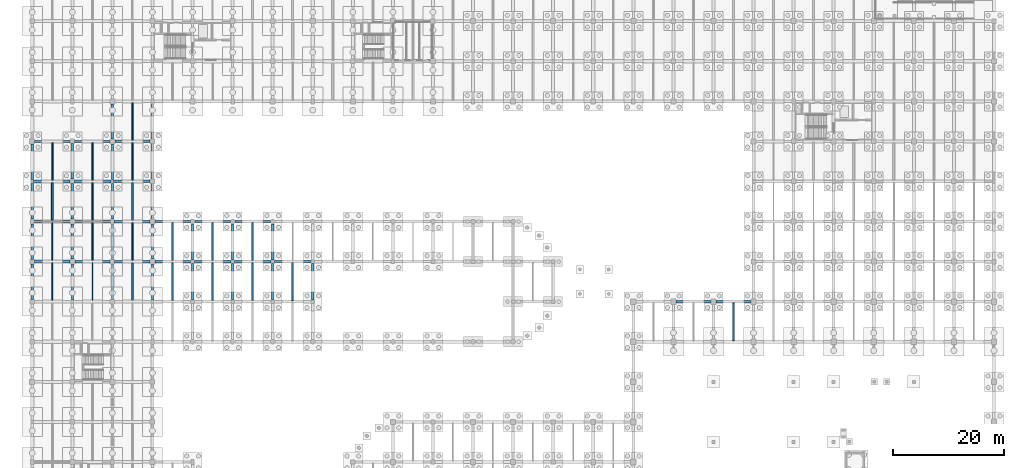
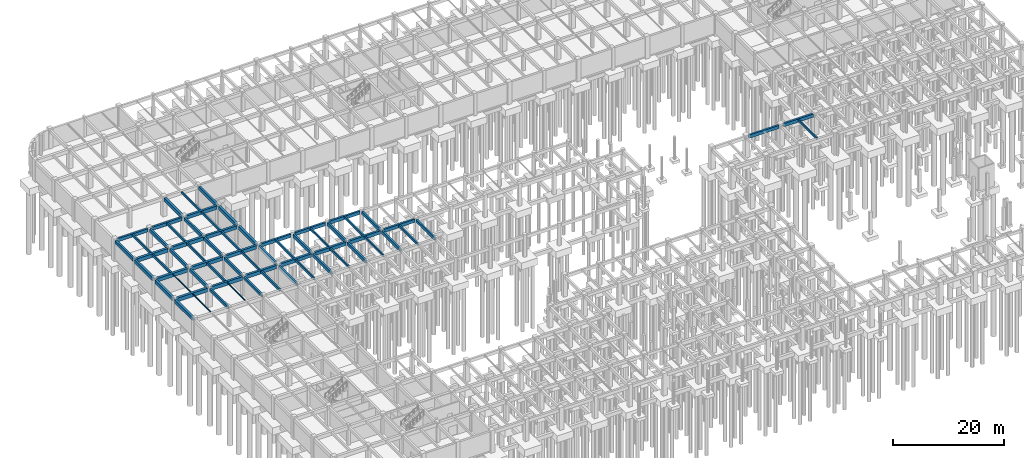
# One storey, part 28 of 47: 67 beams.
"""IFC4 building model written with IfcOpenShell, lengths in metres."""

from ifc_helpers import new_model, si_unit, direction, frame, origin, origin_2d, place, context, subcontext, project, spatial, rectangle, i_section, extrude, material, material_profile, profile_set, type_object, element, save


model = new_model("IFC4")

# Units and contexts
model_context = context("Model", 3, precision=1e-05, world=origin(), true_north=direction((0.0, 1.0)))
body_context = subcontext(model_context, "Body", "Model", "MODEL_VIEW")
ifc_project = project(units=[si_unit("LENGTHUNIT", "METRE"), si_unit("AREAUNIT", "SQUARE_METRE"), si_unit("VOLUMEUNIT", "CUBIC_METRE"), si_unit("PLANEANGLEUNIT", "RADIAN"), si_unit("MASSUNIT", "GRAM", prefix="KILO")], contexts=[model_context])

# Site, building, storey
site_placement = place(None, origin())
site = spatial("IfcSite", under=ifc_project, at=site_placement, CompositionType="ELEMENT")
building_placement = place(site_placement, origin())
building = spatial("IfcBuilding", under=site, at=building_placement, Name="Thalmaran Polytechnic", CompositionType="ELEMENT")
storey_placement = place(building_placement, frame((0.0, 0.0, -4.5)))
storey = spatial("IfcBuildingStorey", under=building, at=storey_placement, Name="B1", CompositionType="ELEMENT", Elevation=-4.5)

# Beams
ifc_material_1 = material(Name="Concrete C40/50", Category="concrete")
ifc_material_profile_1 = material_profile(ifc_material_1, rectangle(XDim=0.5, YDim=0.800048828125, at=origin_2d()), Name="RC 500x800")
ifc_profile_set_1 = profile_set([ifc_material_profile_1], Name="Concrete C40/50")
beam_type_1 = type_object("IfcBeamType", Name="BM-RC02", PredefinedType="BEAM", material=ifc_profile_set_1)
beam_1_placement = place(storey_placement, frame((0.39990234375, 64.800048828125, 3.77001953125), z_axis=(1.0, 0.0, 0.0), x_axis=(0.0, 1.0, 0.0)))
element("IfcBeam", 1, at=beam_1_placement, inside=storey, type_object=beam_type_1, Name="Grid Beam B02 B1 X(0,9)", PredefinedType="BEAM", context=body_context, shape_type="SweptSolid", body=[
    extrude(rectangle(XDim=0.5, YDim=0.800048828125, at=origin_2d()), origin(), (0.0, 0.0, 1.0), 6.35009765625),
])
beam_2_placement = place(storey_placement, frame((0.300048828125, 72.0, 3.77001953125), z_axis=(1.0, 0.0, 0.0), x_axis=(0.0, 1.0, 0.0)))
element("IfcBeam", 2, at=beam_2_placement, inside=storey, type_object=beam_type_1, Name="Grid Beam B02 B1 X(0,10)", PredefinedType="BEAM", context=body_context, shape_type="SweptSolid", body=[
    extrude(rectangle(XDim=0.5, YDim=0.800048828125, at=origin_2d()), origin(), (0.0, 0.0, 1.0), 6.4599609375),
])
beam_3_placement = place(storey_placement, frame((0.22509765625, 79.199951171875, 3.77001953125), z_axis=(1.0, 0.0, 0.0), x_axis=(0.0, 1.0, 0.0)))
element("IfcBeam", 3, at=beam_3_placement, inside=storey, type_object=beam_type_1, Name="Grid Beam B02 B1 X(0,11)", PredefinedType="BEAM", context=body_context, shape_type="SweptSolid", body=[
    extrude(rectangle(XDim=0.5, YDim=0.800048828125, at=origin_2d()), origin(), (0.0, 0.0, 1.0), 6.56494140625),
])
ifc_material_profile_2 = material_profile(ifc_material_1, rectangle(XDim=0.449951171875, YDim=0.75, at=origin_2d()), Name="RC 450x750")
ifc_profile_set_2 = profile_set([ifc_material_profile_2], Name="Concrete C40/50")
beam_type_2 = type_object("IfcBeamType", Name="BM-RC03", PredefinedType="BEAM", material=ifc_profile_set_2)
beam_4_placement = place(storey_placement, frame((14.800048828125, 64.800048828125, 3.794921875), z_axis=(1.0, 0.0, 0.0), x_axis=(0.0, 1.0, 0.0)))
element("IfcBeam", 4, at=beam_4_placement, inside=storey, type_object=beam_type_2, Name="Grid Beam B03 B1 X(2,9)", PredefinedType="BEAM", context=body_context, shape_type="SweptSolid", body=[
    extrude(rectangle(XDim=0.449951171875, YDim=0.75, at=origin_2d()), origin(), (0.0, 0.0, 1.0), 6.349853515625),
])
beam_5_placement = place(storey_placement, frame((14.699951171875, 72.0, 3.794921875), z_axis=(1.0, 0.0, 0.0), x_axis=(0.0, 1.0, 0.0)))
element("IfcBeam", 5, at=beam_5_placement, inside=storey, type_object=beam_type_2, Name="Grid Beam B03 B1 X(2,10)", PredefinedType="BEAM", context=body_context, shape_type="SweptSolid", body=[
    extrude(rectangle(XDim=0.449951171875, YDim=0.75, at=origin_2d()), origin(), (0.0, 0.0, 1.0), 6.4599609375),
])
beam_6_placement = place(storey_placement, frame((14.625, 79.199951171875, 3.794921875), z_axis=(1.0, 0.0, 0.0), x_axis=(0.0, 1.0, 0.0)))
element("IfcBeam", 6, at=beam_6_placement, inside=storey, type_object=beam_type_2, Name="Grid Beam B03 B1 X(2,11)", PredefinedType="BEAM", context=body_context, shape_type="SweptSolid", body=[
    extrude(rectangle(XDim=0.449951171875, YDim=0.75, at=origin_2d()), origin(), (0.0, 0.0, 1.0), 6.56494140625),
])
beam_7_placement = place(storey_placement, frame((14.85009765625, 86.39990234375, 3.794921875), z_axis=(1.0, 0.0, 0.0), x_axis=(0.0, 1.0, 0.0)))
element("IfcBeam", 7, at=beam_7_placement, inside=storey, type_object=beam_type_2, Name="Grid Beam B03 B1 X(2,12)", PredefinedType="BEAM", context=body_context, shape_type="SweptSolid", body=[
    extrude(rectangle(XDim=0.449951171875, YDim=0.75, at=origin_2d()), origin(), (0.0, 0.0, 1.0), 6.349853515625),
])
ifc_material_profile_3 = material_profile(ifc_material_1, rectangle(XDim=0.449951171875, YDim=0.72509765625, at=origin_2d()), Name="RC 450x725")
ifc_profile_set_3 = profile_set([ifc_material_profile_3], Name="Concrete C40/50")
beam_type_3 = type_object("IfcBeamType", Name="BM-RC04", PredefinedType="BEAM", material=ifc_profile_set_3)
beam_8_placement = place(storey_placement, frame((29.125, 64.800048828125, 3.827392578125), z_axis=(1.0, 0.0, 0.0), x_axis=(0.0, 1.0, 0.0)))
element("IfcBeam", 8, at=beam_8_placement, inside=storey, type_object=beam_type_3, Name="Grid Beam B04 B1 X(4,9)", PredefinedType="BEAM", context=body_context, shape_type="SweptSolid", body=[
    extrude(rectangle(XDim=0.449951171875, YDim=0.72509765625, at=origin_2d()), origin(), (0.0, 0.0, 1.0), 6.550048828125),
])
ifc_material_profile_4 = material_profile(ifc_material_1, rectangle(XDim=0.39990234375, YDim=0.699951171875, at=origin_2d()), Name="RC 400x700")
ifc_profile_set_4 = profile_set([ifc_material_profile_4], Name="Concrete C40/50")
beam_type_4 = type_object("IfcBeamType", Name="BM-RC05", PredefinedType="BEAM", material=ifc_profile_set_4)
beam_9_placement = place(storey_placement, frame((43.52490234375, 64.800048828125, 3.840087890625), z_axis=(1.0, 0.0, 0.0), x_axis=(0.0, 1.0, 0.0)))
element("IfcBeam", 9, at=beam_9_placement, inside=storey, type_object=beam_type_4, Name="Grid Beam B05 B1 X(6,9)", PredefinedType="BEAM", context=body_context, shape_type="SweptSolid", body=[
    extrude(rectangle(XDim=0.39990234375, YDim=0.699951171875, at=origin_2d()), origin(), (0.0, 0.0, 1.0), 6.550048828125),
])
ifc_material_profile_5 = material_profile(ifc_material_1, rectangle(XDim=0.389892578125, YDim=0.68505859375, at=origin_2d()), Name="RC 390x685")
ifc_profile_set_5 = profile_set([ifc_material_profile_5], Name="Concrete C40/50")
beam_type_5 = type_object("IfcBeamType", Name="BM-RC08", PredefinedType="BEAM", material=ifc_profile_set_5)
beam_10_placement = place(storey_placement, frame((7.199951171875, 65.25, 3.827392578125), z_axis=(0.0, 1.0, 0.0), x_axis=(-1.0, 0.0, 0.0)))
element("IfcBeam", 10, at=beam_10_placement, inside=storey, type_object=beam_type_5, Name="Grid Beam B08 B1 Y(1,9)", PredefinedType="BEAM", context=body_context, shape_type="SweptSolid", body=[
    extrude(rectangle(XDim=0.389892578125, YDim=0.68505859375, at=origin_2d()), origin(), (0.0, 0.0, 1.0), 6.31005859375),
])
beam_11_placement = place(storey_placement, frame((14.39990234375, 65.199951171875, 3.827392578125), z_axis=(0.0, 1.0, 0.0), x_axis=(-1.0, 0.0, 0.0)))
element("IfcBeam", 11, at=beam_11_placement, inside=storey, type_object=beam_type_5, Name="Grid Beam B08 B1 Y(2,9)", PredefinedType="BEAM", context=body_context, shape_type="SweptSolid", body=[
    extrude(rectangle(XDim=0.389892578125, YDim=0.68505859375, at=origin_2d()), origin(), (0.0, 0.0, 1.0), 6.35009765625),
])
beam_12_placement = place(storey_placement, frame((21.60009765625, 65.25, 3.827392578125), z_axis=(0.0, 1.0, 0.0), x_axis=(-1.0, 0.0, 0.0)))
element("IfcBeam", 12, at=beam_12_placement, inside=storey, type_object=beam_type_5, Name="Grid Beam B08 B1 Y(3,9)", PredefinedType="BEAM", context=body_context, shape_type="SweptSolid", body=[
    extrude(rectangle(XDim=0.389892578125, YDim=0.68505859375, at=origin_2d()), origin(), (0.0, 0.0, 1.0), 6.31005859375),
])
for number, where, z_axis, x_axis, name in (
    (13, (28.800048828125, 65.125, 3.827392578125), (0.0, 1.0, 0.0), (-1.0, 0.0, 0.0), "Grid Beam B08 B1 Y(4,9)"),
    (14, (36.0, 65.125, 3.847412109375), (0.0, 1.0, 0.0), (-1.0, 0.0, 0.0), "Grid Beam B08 B1 Y(5,9)"),
    (15, (43.199951171875, 65.125, 3.847412109375), (0.0, 1.0, 0.0), (-1.0, 0.0, 0.0), "Grid Beam B08 B1 Y(6,9)"),
):
    element("IfcBeam", number, at=place(storey_placement, frame(where, z_axis=z_axis, x_axis=x_axis)), inside=storey, type_object=beam_type_5, Name=name, PredefinedType="BEAM", context=body_context, shape_type="SweptSolid", body=[
        extrude(rectangle(XDim=0.389892578125, YDim=0.68505859375, at=origin_2d()), origin(), (0.0, 0.0, 1.0), 6.47509765625),
    ])
ifc_material_profile_6 = material_profile(ifc_material_1, rectangle(XDim=0.389892578125, YDim=0.68994140625, at=origin_2d()), Name="RC 390x690")
ifc_profile_set_6 = profile_set([ifc_material_profile_6], Name="Concrete C40/50")
beam_type_6 = type_object("IfcBeamType", Name="BM-RC09", PredefinedType="BEAM", material=ifc_profile_set_6)
beam_13_placement = place(storey_placement, frame((7.199951171875, 79.610107421875, 3.824951171875), z_axis=(0.0, 1.0, 0.0), x_axis=(-1.0, 0.0, 0.0)))
element("IfcBeam", 16, at=beam_13_placement, inside=storey, type_object=beam_type_6, Name="Grid Beam B09 B1 Y(1,11)", PredefinedType="BEAM", context=body_context, shape_type="SweptSolid", body=[
    extrude(rectangle(XDim=0.389892578125, YDim=0.68994140625, at=origin_2d()), origin(), (0.0, 0.0, 1.0), 6.389892578125),
])
beam_14_placement = place(storey_placement, frame((14.39990234375, 79.52490234375, 3.824951171875), z_axis=(0.0, 1.0, 0.0), x_axis=(-1.0, 0.0, 0.0)))
element("IfcBeam", 17, at=beam_14_placement, inside=storey, type_object=beam_type_6, Name="Grid Beam B09 B1 Y(2,11)", PredefinedType="BEAM", context=body_context, shape_type="SweptSolid", body=[
    extrude(rectangle(XDim=0.389892578125, YDim=0.68994140625, at=origin_2d()), origin(), (0.0, 0.0, 1.0), 6.425048828125),
])
ifc_material_profile_7 = material_profile(ifc_material_1, rectangle(XDim=0.300048828125, YDim=0.5, at=origin_2d()), Name="RC 300x500")
ifc_profile_set_7 = profile_set([ifc_material_profile_7], Name="Concrete C40/50")
beam_type_7 = type_object("IfcBeamType", Name="BM-RC11", PredefinedType="JOIST", material=ifc_profile_set_7)
beam_15_placement = place(storey_placement, frame((3.60009765625, 72.25, 3.919921875), z_axis=(0.0, 1.0, 0.0), x_axis=(-1.0, 0.0, 0.0)))
element("IfcBeam", 18, at=beam_15_placement, inside=storey, type_object=beam_type_7, Name="Secondary Floor Rib RB01 B1 (0,10)", PredefinedType="JOIST", context=body_context, shape_type="SweptSolid", body=[
    extrude(rectangle(XDim=0.300048828125, YDim=0.5, at=origin_2d()), origin(), (0.0, 0.0, 1.0), 6.699951171875),
])
beam_16_placement = place(storey_placement, frame((10.800048828125, 65.0400390625, 3.919921875), z_axis=(0.0, 1.0, 0.0), x_axis=(-1.0, 0.0, 0.0)))
element("IfcBeam", 19, at=beam_16_placement, inside=storey, type_object=beam_type_7, Name="Secondary Floor Rib RB01 B1 (1,9)", PredefinedType="JOIST", context=body_context, shape_type="SweptSolid", body=[
    extrude(rectangle(XDim=0.300048828125, YDim=0.5, at=origin_2d()), origin(), (0.0, 0.0, 1.0), 6.719970703125),
])
beam_17_placement = place(storey_placement, frame((18.0, 57.824951171875, 3.919921875), z_axis=(0.0, 1.0, 0.0), x_axis=(-1.0, 0.0, 0.0)))
element("IfcBeam", 20, at=beam_17_placement, inside=storey, type_object=beam_type_7, Name="Secondary Floor Rib RB01 B1 (2,8)", PredefinedType="JOIST", context=body_context, shape_type="SweptSolid", body=[
    extrude(rectangle(XDim=0.300048828125, YDim=0.5, at=origin_2d()), origin(), (0.0, 0.0, 1.0), 6.75),
])
ifc_material_profile_8 = material_profile(ifc_material_1, rectangle(XDim=0.300048828125, YDim=0.449951171875, at=origin_2d()), Name="RC 300x450")
ifc_profile_set_8 = profile_set([ifc_material_profile_8], Name="Concrete C40/50")
beam_type_8 = type_object("IfcBeamType", Name="BM-RC12", PredefinedType="JOIST", material=ifc_profile_set_8)
beam_18_placement = place(storey_placement, frame((10.800048828125, 79.43994140625, 3.945068359375), z_axis=(0.0, 1.0, 0.0), x_axis=(-1.0, 0.0, 0.0)))
element("IfcBeam", 21, at=beam_18_placement, inside=storey, type_object=beam_type_8, Name="Secondary Floor Rib RB02 B1 (1,11)", PredefinedType="JOIST", context=body_context, shape_type="SweptSolid", body=[
    extrude(rectangle(XDim=0.300048828125, YDim=0.449951171875, at=origin_2d()), origin(), (0.0, 0.0, 1.0), 6.760009765625),
])
beam_19_placement = place(storey_placement, frame((18.0, 72.22509765625, 3.945068359375), z_axis=(0.0, 1.0, 0.0), x_axis=(-1.0, 0.0, 0.0)))
element("IfcBeam", 22, at=beam_19_placement, inside=storey, type_object=beam_type_8, Name="Secondary Floor Rib RB02 B1 (2,10)", PredefinedType="JOIST", context=body_context, shape_type="SweptSolid", body=[
    extrude(rectangle(XDim=0.300048828125, YDim=0.449951171875, at=origin_2d()), origin(), (0.0, 0.0, 1.0), 6.75),
])
beam_20_placement = place(storey_placement, frame((25.199951171875, 65.030029296875, 3.945068359375), z_axis=(0.0, 1.0, 0.0), x_axis=(-1.0, 0.0, 0.0)))
element("IfcBeam", 23, at=beam_20_placement, inside=storey, type_object=beam_type_8, Name="Secondary Floor Rib RB02 B1 (3,9)", PredefinedType="JOIST", context=body_context, shape_type="SweptSolid", body=[
    extrude(rectangle(XDim=0.300048828125, YDim=0.449951171875, at=origin_2d()), origin(), (0.0, 0.0, 1.0), 6.77001953125),
])
beam_21_placement = place(storey_placement, frame((32.39990234375, 57.824951171875, 3.965087890625), z_axis=(0.0, 1.0, 0.0), x_axis=(-1.0, 0.0, 0.0)))
element("IfcBeam", 24, at=beam_21_placement, inside=storey, type_object=beam_type_8, Name="Secondary Floor Rib RB02 B1 (4,8)", PredefinedType="JOIST", context=body_context, shape_type="SweptSolid", body=[
    extrude(rectangle(XDim=0.300048828125, YDim=0.449951171875, at=origin_2d()), origin(), (0.0, 0.0, 1.0), 6.75),
])
ifc_material_profile_9 = material_profile(ifc_material_1, rectangle(XDim=0.280029296875, YDim=0.449951171875, at=origin_2d()), Name="RC 280x450")
ifc_profile_set_9 = profile_set([ifc_material_profile_9], Name="Concrete C40/50")
beam_type_9 = type_object("IfcBeamType", Name="BM-RC13", PredefinedType="JOIST", material=ifc_profile_set_9)
beam_22_placement = place(storey_placement, frame((18.0, 86.625, 3.945068359375), z_axis=(0.0, 1.0, 0.0), x_axis=(-1.0, 0.0, 0.0)))
element("IfcBeam", 25, at=beam_22_placement, inside=storey, type_object=beam_type_9, Name="Secondary Floor Rib RB03 B1 (2,12)", PredefinedType="JOIST", context=body_context, shape_type="SweptSolid", body=[
    extrude(rectangle(XDim=0.280029296875, YDim=0.449951171875, at=origin_2d()), origin(), (0.0, 0.0, 1.0), 6.75),
])
beam_23_placement = place(storey_placement, frame((39.60009765625, 65.02001953125, 3.965087890625), z_axis=(0.0, 1.0, 0.0), x_axis=(-1.0, 0.0, 0.0)))
element("IfcBeam", 26, at=beam_23_placement, inside=storey, type_object=beam_type_9, Name="Secondary Floor Rib RB03 B1 (5,9)", PredefinedType="JOIST", context=body_context, shape_type="SweptSolid", body=[
    extrude(rectangle(XDim=0.280029296875, YDim=0.449951171875, at=origin_2d()), origin(), (0.0, 0.0, 1.0), 6.780029296875),
])
beam_24_placement = place(storey_placement, frame((46.800048828125, 57.800048828125, 3.965087890625), z_axis=(0.0, 1.0, 0.0), x_axis=(-1.0, 0.0, 0.0)))
element("IfcBeam", 27, at=beam_24_placement, inside=storey, type_object=beam_type_9, Name="Secondary Floor Rib RB03 B1 (6,8)", PredefinedType="JOIST", context=body_context, shape_type="SweptSolid", body=[
    extrude(rectangle(XDim=0.280029296875, YDim=0.449951171875, at=origin_2d()), origin(), (0.0, 0.0, 1.0), 6.800048828125),
])
beam_25_placement = place(storey_placement, frame((126.0, 50.610107421875, 3.9150390625), z_axis=(0.0, 1.0, 0.0), x_axis=(-1.0, 0.0, 0.0)))
element("IfcBeam", 28, at=beam_25_placement, inside=storey, type_object=beam_type_9, Name="Secondary Floor Rib RB03 B1 (17,7)", PredefinedType="JOIST", context=body_context, shape_type="SweptSolid", body=[
    extrude(rectangle(XDim=0.280029296875, YDim=0.449951171875, at=origin_2d()), origin(), (0.0, 0.0, 1.0), 6.789794921875),
])
ifc_material_2 = material(Name="Steel S355", Category="steel")
ifc_material_profile_10 = material_profile(ifc_material_2, i_section(OverallWidth=0.135009765625, OverallDepth=0.27001953125, WebThickness=0.006591796875, FlangeThickness=0.01025390625, at=origin_2d()), Name="IPE 270")
ifc_profile_set_10 = profile_set([ifc_material_profile_10], Name="Steel S355")
beam_type_10 = type_object("IfcBeamType", Name="BM-SJ03", PredefinedType="JOIST", material=ifc_profile_set_10)
beam_26_placement = place(storey_placement, frame((3.60009765625, 57.85009765625, 4.034912109375), z_axis=(0.0, 1.0, 0.0), x_axis=(-1.0, 0.0, 0.0)))
element("IfcBeam", 29, at=beam_26_placement, inside=storey, type_object=beam_type_10, Name="Secondary Floor Rib SJ03 B1 (0,8)", PredefinedType="JOIST", context=body_context, shape_type="SweptSolid", body=[
    extrude(i_section(OverallWidth=0.135009765625, OverallDepth=0.27001953125, WebThickness=0.006591796875, FlangeThickness=0.01025390625, at=origin_2d()), origin(), (0.0, 0.0, 1.0), 6.699951171875),
])
ifc_material_profile_11 = material_profile(ifc_material_2, i_section(OverallWidth=0.110107421875, OverallDepth=0.219970703125, WebThickness=0.005859375, FlangeThickness=0.00927734375, at=origin_2d()), Name="IPE 220")
ifc_profile_set_11 = profile_set([ifc_material_profile_11], Name="Steel S355")
beam_type_11 = type_object("IfcBeamType", Name="BM-SJ04", PredefinedType="JOIST", material=ifc_profile_set_11)
beam_27_placement = place(storey_placement, frame((3.60009765625, 65.050048828125, 4.06005859375), z_axis=(0.0, 1.0, 0.0), x_axis=(-1.0, 0.0, 0.0)))
element("IfcBeam", 30, at=beam_27_placement, inside=storey, type_object=beam_type_11, Name="Secondary Floor Rib SJ04 B1 (0,9)", PredefinedType="JOIST", context=body_context, shape_type="SweptSolid", body=[
    extrude(i_section(OverallWidth=0.110107421875, OverallDepth=0.219970703125, WebThickness=0.005859375, FlangeThickness=0.00927734375, at=origin_2d()), origin(), (0.0, 0.0, 1.0), 6.699951171875),
])
beam_28_placement = place(storey_placement, frame((10.800048828125, 57.840087890625, 4.06005859375), z_axis=(0.0, 1.0, 0.0), x_axis=(-1.0, 0.0, 0.0)))
element("IfcBeam", 31, at=beam_28_placement, inside=storey, type_object=beam_type_11, Name="Secondary Floor Rib SJ04 B1 (1,8)", PredefinedType="JOIST", context=body_context, shape_type="SweptSolid", body=[
    extrude(i_section(OverallWidth=0.110107421875, OverallDepth=0.219970703125, WebThickness=0.005859375, FlangeThickness=0.00927734375, at=origin_2d()), origin(), (0.0, 0.0, 1.0), 6.719970703125),
])
ifc_material_profile_12 = material_profile(ifc_material_1, rectangle(XDim=0.39990234375, YDim=0.719970703125, at=origin_2d()), Name="RC 400x720")
ifc_profile_set_12 = profile_set([ifc_material_profile_12], Name="Concrete C40/50")
beam_type_12 = type_object("IfcBeamType", Name="BM-SP01", PredefinedType="SPANDREL", material=ifc_profile_set_12)
beam_29_placement = place(storey_placement, frame((0.449951171875, 86.39990234375, 3.81005859375), z_axis=(1.0, 0.0, 0.0), x_axis=(0.0, 1.0, 0.0)))
element("IfcBeam", 32, at=beam_29_placement, inside=storey, type_object=beam_type_12, Name="Grid Beam SP01 B1 X(0,12)", PredefinedType="SPANDREL", context=body_context, shape_type="SweptSolid", body=[
    extrude(rectangle(XDim=0.39990234375, YDim=0.719970703125, at=origin_2d()), origin(), (0.0, 0.0, 1.0), 6.35009765625),
])
beam_30_placement = place(storey_placement, frame((7.60009765625, 86.39990234375, 3.81005859375), z_axis=(1.0, 0.0, 0.0), x_axis=(0.0, 1.0, 0.0)))
element("IfcBeam", 33, at=beam_30_placement, inside=storey, type_object=beam_type_12, Name="Grid Beam SP01 B1 X(1,12)", PredefinedType="SPANDREL", context=body_context, shape_type="SweptSolid", body=[
    extrude(rectangle(XDim=0.39990234375, YDim=0.719970703125, at=origin_2d()), origin(), (0.0, 0.0, 1.0), 6.349853515625),
])
beam_31_placement = place(storey_placement, frame((22.0400390625, 72.0, 3.81005859375), z_axis=(1.0, 0.0, 0.0), x_axis=(0.0, 1.0, 0.0)))
element("IfcBeam", 34, at=beam_31_placement, inside=storey, type_object=beam_type_12, Name="Grid Beam SP01 B1 X(3,10)", PredefinedType="SPANDREL", context=body_context, shape_type="SweptSolid", body=[
    extrude(rectangle(XDim=0.39990234375, YDim=0.719970703125, at=origin_2d()), origin(), (0.0, 0.0, 1.0), 6.35986328125),
])
for number, where, z_axis, x_axis, name in (
    (35, (29.199951171875, 72.0, 3.830078125), (1.0, 0.0, 0.0), (0.0, 1.0, 0.0), "Grid Beam SP01 B1 X(4,10)"),
    (36, (36.39990234375, 72.0, 3.830078125), (1.0, 0.0, 0.0), (0.0, 1.0, 0.0), "Grid Beam SP01 B1 X(5,10)"),
):
    element("IfcBeam", number, at=place(storey_placement, frame(where, z_axis=z_axis, x_axis=x_axis)), inside=storey, type_object=beam_type_12, Name=name, PredefinedType="SPANDREL", context=body_context, shape_type="SweptSolid", body=[
        extrude(rectangle(XDim=0.39990234375, YDim=0.719970703125, at=origin_2d()), origin(), (0.0, 0.0, 1.0), 6.400146484375),
    ])
for number, where, z_axis, x_axis, name in (
    (37, (115.675048828125, 57.60009765625, 3.780029296875), (1.0, 0.0, 0.0), (0.0, 1.0, 0.0), "Grid Beam SP01 B1 X(16,8)"),
    (38, (122.875, 57.60009765625, 3.780029296875), (1.0, 0.0, 0.0), (0.0, 1.0, 0.0), "Grid Beam SP01 B1 X(17,8)"),
):
    element("IfcBeam", number, at=place(storey_placement, frame(where, z_axis=z_axis, x_axis=x_axis)), inside=storey, type_object=beam_type_12, Name=name, PredefinedType="SPANDREL", context=body_context, shape_type="SweptSolid", body=[
        extrude(rectangle(XDim=0.39990234375, YDim=0.719970703125, at=origin_2d()), origin(), (0.0, 0.0, 1.0), 6.25),
    ])
ifc_material_profile_13 = material_profile(ifc_material_1, rectangle(XDim=0.449951171875, YDim=0.7548828125, at=origin_2d()), Name="RC 450x755")
ifc_profile_set_13 = profile_set([ifc_material_profile_13], Name="Concrete C40/50")
beam_type_13 = type_object("IfcBeamType", Name="BM-SP02", PredefinedType="SPANDREL", material=ifc_profile_set_13)
beam_32_placement = place(storey_placement, frame((0.0, 58.010009765625, 3.79248046875), z_axis=(0.0, 1.0, 0.0), x_axis=(-1.0, 0.0, 0.0)))
element("IfcBeam", 39, at=beam_32_placement, inside=storey, type_object=beam_type_13, Name="Grid Beam SP02 B1 Y(0,8)", PredefinedType="SPANDREL", context=body_context, shape_type="SweptSolid", body=[
    extrude(rectangle(XDim=0.449951171875, YDim=0.7548828125, at=origin_2d()), origin(), (0.0, 0.0, 1.0), 6.389892578125),
])
beam_33_placement = place(storey_placement, frame((0.0, 65.199951171875, 3.79248046875), z_axis=(0.0, 1.0, 0.0), x_axis=(-1.0, 0.0, 0.0)))
element("IfcBeam", 40, at=beam_33_placement, inside=storey, type_object=beam_type_13, Name="Grid Beam SP02 B1 Y(0,9)", PredefinedType="SPANDREL", context=body_context, shape_type="SweptSolid", body=[
    extrude(rectangle(XDim=0.449951171875, YDim=0.7548828125, at=origin_2d()), origin(), (0.0, 0.0, 1.0), 6.35009765625),
])
for number, where, z_axis, x_axis, name in (
    (41, (0.0, 72.449951171875, 3.79248046875), (0.0, 1.0, 0.0), (-1.0, 0.0, 0.0), "Grid Beam SP02 B1 Y(0,10)"),
    (42, (0.0, 79.52490234375, 3.79248046875), (0.0, 1.0, 0.0), (-1.0, 0.0, 0.0), "Grid Beam SP02 B1 Y(0,11)"),
):
    element("IfcBeam", number, at=place(storey_placement, frame(where, z_axis=z_axis, x_axis=x_axis)), inside=storey, type_object=beam_type_13, Name=name, PredefinedType="SPANDREL", context=body_context, shape_type="SweptSolid", body=[
        extrude(rectangle(XDim=0.449951171875, YDim=0.7548828125, at=origin_2d()), origin(), (0.0, 0.0, 1.0), 6.425048828125),
    ])
beam_34_placement = place(storey_placement, frame((14.39990234375, 86.85009765625, 3.79248046875), z_axis=(0.0, 1.0, 0.0), x_axis=(-1.0, 0.0, 0.0)))
element("IfcBeam", 43, at=beam_34_placement, inside=storey, type_object=beam_type_13, Name="Grid Beam SP02 B1 Y(2,12)", PredefinedType="SPANDREL", context=body_context, shape_type="SweptSolid", body=[
    extrude(rectangle(XDim=0.449951171875, YDim=0.7548828125, at=origin_2d()), origin(), (0.0, 0.0, 1.0), 6.309814453125),
])
beam_35_placement = place(storey_placement, frame((21.60009765625, 72.43994140625, 3.79248046875), z_axis=(0.0, 1.0, 0.0), x_axis=(-1.0, 0.0, 0.0)))
element("IfcBeam", 44, at=beam_35_placement, inside=storey, type_object=beam_type_13, Name="Grid Beam SP02 B1 Y(3,10)", PredefinedType="SPANDREL", context=body_context, shape_type="SweptSolid", body=[
    extrude(rectangle(XDim=0.449951171875, YDim=0.7548828125, at=origin_2d()), origin(), (0.0, 0.0, 1.0), 6.35009765625),
])
beam_36_placement = place(storey_placement, frame((21.60009765625, 79.610107421875, 3.79248046875), z_axis=(0.0, 1.0, 0.0), x_axis=(-1.0, 0.0, 0.0)))
element("IfcBeam", 45, at=beam_36_placement, inside=storey, type_object=beam_type_13, Name="Grid Beam SP02 B1 Y(3,11)", PredefinedType="SPANDREL", context=body_context, shape_type="SweptSolid", body=[
    extrude(rectangle(XDim=0.449951171875, YDim=0.7548828125, at=origin_2d()), origin(), (0.0, 0.0, 1.0), 6.389892578125),
])
beam_37_placement = place(storey_placement, frame((21.60009765625, 86.800048828125, 3.79248046875), z_axis=(0.0, 1.0, 0.0), x_axis=(-1.0, 0.0, 0.0)))
element("IfcBeam", 46, at=beam_37_placement, inside=storey, type_object=beam_type_13, Name="Grid Beam SP02 B1 Y(3,12)", PredefinedType="SPANDREL", context=body_context, shape_type="SweptSolid", body=[
    extrude(rectangle(XDim=0.449951171875, YDim=0.7548828125, at=origin_2d()), origin(), (0.0, 0.0, 1.0), 6.349853515625),
])
ifc_material_profile_14 = material_profile(ifc_material_1, rectangle(XDim=0.47998046875, YDim=0.780029296875, at=origin_2d()), Name="RC 480x780")
ifc_profile_set_14 = profile_set([ifc_material_profile_14], Name="Concrete C40/50")
beam_type_14 = type_object("IfcBeamType", Name="BM-ZB01", PredefinedType="BEAM", material=ifc_profile_set_14)
beam_38_placement = place(storey_placement, frame((7.64990234375, 64.800048828125, 3.780029296875), z_axis=(1.0, 0.0, 0.0), x_axis=(0.0, 1.0, 0.0)))
element("IfcBeam", 47, at=beam_38_placement, inside=storey, type_object=beam_type_14, Name="Grid Beam ZB01 B1 X(1,9)", PredefinedType="BEAM", context=body_context, shape_type="SweptSolid", body=[
    extrude(rectangle(XDim=0.47998046875, YDim=0.780029296875, at=origin_2d()), origin(), (0.0, 0.0, 1.0), 6.35009765625),
])
beam_39_placement = place(storey_placement, frame((7.639892578125, 72.0, 3.780029296875), z_axis=(1.0, 0.0, 0.0), x_axis=(0.0, 1.0, 0.0)))
element("IfcBeam", 48, at=beam_39_placement, inside=storey, type_object=beam_type_14, Name="Grid Beam ZB01 B1 X(1,10)", PredefinedType="BEAM", context=body_context, shape_type="SweptSolid", body=[
    extrude(rectangle(XDim=0.47998046875, YDim=0.780029296875, at=origin_2d()), origin(), (0.0, 0.0, 1.0), 6.460205078125),
])
beam_40_placement = place(storey_placement, frame((7.610107421875, 79.199951171875, 3.780029296875), z_axis=(1.0, 0.0, 0.0), x_axis=(0.0, 1.0, 0.0)))
element("IfcBeam", 49, at=beam_40_placement, inside=storey, type_object=beam_type_14, Name="Grid Beam ZB01 B1 X(1,11)", PredefinedType="BEAM", context=body_context, shape_type="SweptSolid", body=[
    extrude(rectangle(XDim=0.47998046875, YDim=0.780029296875, at=origin_2d()), origin(), (0.0, 0.0, 1.0), 6.56494140625),
])
ifc_material_profile_15 = material_profile(ifc_material_1, rectangle(XDim=0.4599609375, YDim=0.739990234375, at=origin_2d()), Name="RC 460x740")
ifc_profile_set_15 = profile_set([ifc_material_profile_15], Name="Concrete C40/50")
beam_type_15 = type_object("IfcBeamType", Name="BM-ZB02", PredefinedType="BEAM", material=ifc_profile_set_15)
beam_41_placement = place(storey_placement, frame((22.050048828125, 64.800048828125, 3.800048828125), z_axis=(1.0, 0.0, 0.0), x_axis=(0.0, 1.0, 0.0)))
element("IfcBeam", 50, at=beam_41_placement, inside=storey, type_object=beam_type_15, Name="Grid Beam ZB02 B1 X(3,9)", PredefinedType="BEAM", context=body_context, shape_type="SweptSolid", body=[
    extrude(rectangle(XDim=0.4599609375, YDim=0.739990234375, at=origin_2d()), origin(), (0.0, 0.0, 1.0), 6.425048828125),
])
ifc_material_profile_16 = material_profile(ifc_material_1, rectangle(XDim=0.43994140625, YDim=0.719970703125, at=origin_2d()), Name="RC 440x720")
ifc_profile_set_16 = profile_set([ifc_material_profile_16], Name="Concrete C40/50")
beam_type_16 = type_object("IfcBeamType", Name="BM-ZB03", PredefinedType="BEAM", material=ifc_profile_set_16)
beam_42_placement = place(storey_placement, frame((36.324951171875, 64.800048828125, 3.830078125), z_axis=(1.0, 0.0, 0.0), x_axis=(0.0, 1.0, 0.0)))
element("IfcBeam", 51, at=beam_42_placement, inside=storey, type_object=beam_type_16, Name="Grid Beam ZB03 B1 X(5,9)", PredefinedType="BEAM", context=body_context, shape_type="SweptSolid", body=[
    extrude(rectangle(XDim=0.43994140625, YDim=0.719970703125, at=origin_2d()), origin(), (0.0, 0.0, 1.0), 6.550048828125),
])
ifc_material_profile_17 = material_profile(ifc_material_1, rectangle(XDim=0.3798828125, YDim=0.635009765625, at=origin_2d()), Name="RC 380x635")
ifc_profile_set_17 = profile_set([ifc_material_profile_17], Name="Concrete C40/50")
beam_type_17 = type_object("IfcBeamType", Name="BM-ZB06", PredefinedType="BEAM", material=ifc_profile_set_17)
beam_43_placement = place(storey_placement, frame((7.199951171875, 57.925048828125, 3.8525390625), z_axis=(0.0, 1.0, 0.0), x_axis=(-1.0, 0.0, 0.0)))
element("IfcBeam", 52, at=beam_43_placement, inside=storey, type_object=beam_type_17, Name="Grid Beam ZB06 B1 Y(1,8)", PredefinedType="BEAM", context=body_context, shape_type="SweptSolid", body=[
    extrude(rectangle(XDim=0.3798828125, YDim=0.635009765625, at=origin_2d()), origin(), (0.0, 0.0, 1.0), 6.425048828125),
])
beam_44_placement = place(storey_placement, frame((14.39990234375, 58.010009765625, 3.8525390625), z_axis=(0.0, 1.0, 0.0), x_axis=(-1.0, 0.0, 0.0)))
element("IfcBeam", 53, at=beam_44_placement, inside=storey, type_object=beam_type_17, Name="Grid Beam ZB06 B1 Y(2,8)", PredefinedType="BEAM", context=body_context, shape_type="SweptSolid", body=[
    extrude(rectangle(XDim=0.3798828125, YDim=0.635009765625, at=origin_2d()), origin(), (0.0, 0.0, 1.0), 6.389892578125),
])
beam_45_placement = place(storey_placement, frame((21.60009765625, 57.925048828125, 3.8525390625), z_axis=(0.0, 1.0, 0.0), x_axis=(-1.0, 0.0, 0.0)))
element("IfcBeam", 54, at=beam_45_placement, inside=storey, type_object=beam_type_17, Name="Grid Beam ZB06 B1 Y(3,8)", PredefinedType="BEAM", context=body_context, shape_type="SweptSolid", body=[
    extrude(rectangle(XDim=0.3798828125, YDim=0.635009765625, at=origin_2d()), origin(), (0.0, 0.0, 1.0), 6.425048828125),
])
for number, where, z_axis, x_axis, name in (
    (55, (28.800048828125, 57.925048828125, 3.8525390625), (0.0, 1.0, 0.0), (-1.0, 0.0, 0.0), "Grid Beam ZB06 B1 Y(4,8)"),
    (56, (36.0, 57.925048828125, 3.87255859375), (0.0, 1.0, 0.0), (-1.0, 0.0, 0.0), "Grid Beam ZB06 B1 Y(5,8)"),
    (57, (43.199951171875, 57.925048828125, 3.87255859375), (0.0, 1.0, 0.0), (-1.0, 0.0, 0.0), "Grid Beam ZB06 B1 Y(6,8)"),
    (58, (50.39990234375, 57.925048828125, 3.87255859375), (0.0, 1.0, 0.0), (-1.0, 0.0, 0.0), "Grid Beam ZB06 B1 Y(7,8)"),
):
    element("IfcBeam", number, at=place(storey_placement, frame(where, z_axis=z_axis, x_axis=x_axis)), inside=storey, type_object=beam_type_17, Name=name, PredefinedType="BEAM", context=body_context, shape_type="SweptSolid", body=[
        extrude(rectangle(XDim=0.3798828125, YDim=0.635009765625, at=origin_2d()), origin(), (0.0, 0.0, 1.0), 6.550048828125),
    ])
ifc_material_profile_18 = material_profile(ifc_material_1, rectangle(XDim=0.39990234375, YDim=0.68505859375, at=origin_2d()), Name="RC 400x685")
ifc_profile_set_18 = profile_set([ifc_material_profile_18], Name="Concrete C40/50")
beam_type_18 = type_object("IfcBeamType", Name="BM-ZB07", PredefinedType="BEAM", material=ifc_profile_set_18)
beam_46_placement = place(storey_placement, frame((7.199951171875, 72.43994140625, 3.827392578125), z_axis=(0.0, 1.0, 0.0), x_axis=(-1.0, 0.0, 0.0)))
element("IfcBeam", 59, at=beam_46_placement, inside=storey, type_object=beam_type_18, Name="Grid Beam ZB07 B1 Y(1,10)", PredefinedType="BEAM", context=body_context, shape_type="SweptSolid", body=[
    extrude(rectangle(XDim=0.39990234375, YDim=0.68505859375, at=origin_2d()), origin(), (0.0, 0.0, 1.0), 6.35009765625),
])
beam_47_placement = place(storey_placement, frame((14.39990234375, 72.449951171875, 3.827392578125), z_axis=(0.0, 1.0, 0.0), x_axis=(-1.0, 0.0, 0.0)))
element("IfcBeam", 60, at=beam_47_placement, inside=storey, type_object=beam_type_18, Name="Grid Beam ZB07 B1 Y(2,10)", PredefinedType="BEAM", context=body_context, shape_type="SweptSolid", body=[
    extrude(rectangle(XDim=0.39990234375, YDim=0.68505859375, at=origin_2d()), origin(), (0.0, 0.0, 1.0), 6.425048828125),
])
ifc_material_profile_19 = material_profile(ifc_material_1, rectangle(XDim=0.280029296875, YDim=0.47998046875, at=origin_2d()), Name="RC 280x480")
ifc_profile_set_19 = profile_set([ifc_material_profile_19], Name="Concrete C40/50")
beam_type_19 = type_object("IfcBeamType", Name="BM-ZJ01", PredefinedType="JOIST", material=ifc_profile_set_19)
beam_48_placement = place(storey_placement, frame((3.60009765625, 79.449951171875, 3.929931640625), z_axis=(0.0, 1.0, 0.0), x_axis=(-1.0, 0.0, 0.0)))
element("IfcBeam", 61, at=beam_48_placement, inside=storey, type_object=beam_type_19, Name="Secondary Floor Rib ZJ01 B1 (0,11)", PredefinedType="JOIST", context=body_context, shape_type="SweptSolid", body=[
    extrude(rectangle(XDim=0.280029296875, YDim=0.47998046875, at=origin_2d()), origin(), (0.0, 0.0, 1.0), 6.75),
])
beam_49_placement = place(storey_placement, frame((10.800048828125, 72.239990234375, 3.929931640625), z_axis=(0.0, 1.0, 0.0), x_axis=(-1.0, 0.0, 0.0)))
element("IfcBeam", 62, at=beam_49_placement, inside=storey, type_object=beam_type_19, Name="Secondary Floor Rib ZJ01 B1 (1,10)", PredefinedType="JOIST", context=body_context, shape_type="SweptSolid", body=[
    extrude(rectangle(XDim=0.280029296875, YDim=0.47998046875, at=origin_2d()), origin(), (0.0, 0.0, 1.0), 6.719970703125),
])
beam_50_placement = place(storey_placement, frame((18.0, 65.02490234375, 3.929931640625), z_axis=(0.0, 1.0, 0.0), x_axis=(-1.0, 0.0, 0.0)))
element("IfcBeam", 63, at=beam_50_placement, inside=storey, type_object=beam_type_19, Name="Secondary Floor Rib ZJ01 B1 (2,9)", PredefinedType="JOIST", context=body_context, shape_type="SweptSolid", body=[
    extrude(rectangle(XDim=0.280029296875, YDim=0.47998046875, at=origin_2d()), origin(), (0.0, 0.0, 1.0), 6.75),
])
beam_51_placement = place(storey_placement, frame((25.199951171875, 57.830078125, 3.929931640625), z_axis=(0.0, 1.0, 0.0), x_axis=(-1.0, 0.0, 0.0)))
element("IfcBeam", 64, at=beam_51_placement, inside=storey, type_object=beam_type_19, Name="Secondary Floor Rib ZJ01 B1 (3,8)", PredefinedType="JOIST", context=body_context, shape_type="SweptSolid", body=[
    extrude(rectangle(XDim=0.280029296875, YDim=0.47998046875, at=origin_2d()), origin(), (0.0, 0.0, 1.0), 6.739990234375),
])
ifc_material_profile_20 = material_profile(ifc_material_1, rectangle(XDim=0.260009765625, YDim=0.43994140625, at=origin_2d()), Name="RC 260x440")
ifc_profile_set_20 = profile_set([ifc_material_profile_20], Name="Concrete C40/50")
beam_type_20 = type_object("IfcBeamType", Name="BM-ZJ02", PredefinedType="JOIST", material=ifc_profile_set_20)
beam_52_placement = place(storey_placement, frame((18.0, 79.425048828125, 3.949951171875), z_axis=(0.0, 1.0, 0.0), x_axis=(-1.0, 0.0, 0.0)))
element("IfcBeam", 65, at=beam_52_placement, inside=storey, type_object=beam_type_20, Name="Secondary Floor Rib ZJ02 B1 (2,11)", PredefinedType="JOIST", context=body_context, shape_type="SweptSolid", body=[
    extrude(rectangle(XDim=0.260009765625, YDim=0.43994140625, at=origin_2d()), origin(), (0.0, 0.0, 1.0), 6.75),
])
beam_53_placement = place(storey_placement, frame((32.39990234375, 65.02490234375, 3.969970703125), z_axis=(0.0, 1.0, 0.0), x_axis=(-1.0, 0.0, 0.0)))
element("IfcBeam", 66, at=beam_53_placement, inside=storey, type_object=beam_type_20, Name="Secondary Floor Rib ZJ02 B1 (4,9)", PredefinedType="JOIST", context=body_context, shape_type="SweptSolid", body=[
    extrude(rectangle(XDim=0.260009765625, YDim=0.43994140625, at=origin_2d()), origin(), (0.0, 0.0, 1.0), 6.775146484375),
])
beam_54_placement = place(storey_placement, frame((39.60009765625, 57.820068359375, 3.969970703125), z_axis=(0.0, 1.0, 0.0), x_axis=(-1.0, 0.0, 0.0)))
element("IfcBeam", 67, at=beam_54_placement, inside=storey, type_object=beam_type_20, Name="Secondary Floor Rib ZJ02 B1 (5,8)", PredefinedType="JOIST", context=body_context, shape_type="SweptSolid", body=[
    extrude(rectangle(XDim=0.260009765625, YDim=0.43994140625, at=origin_2d()), origin(), (0.0, 0.0, 1.0), 6.760009765625),
])

save(model, "model.ifc")
